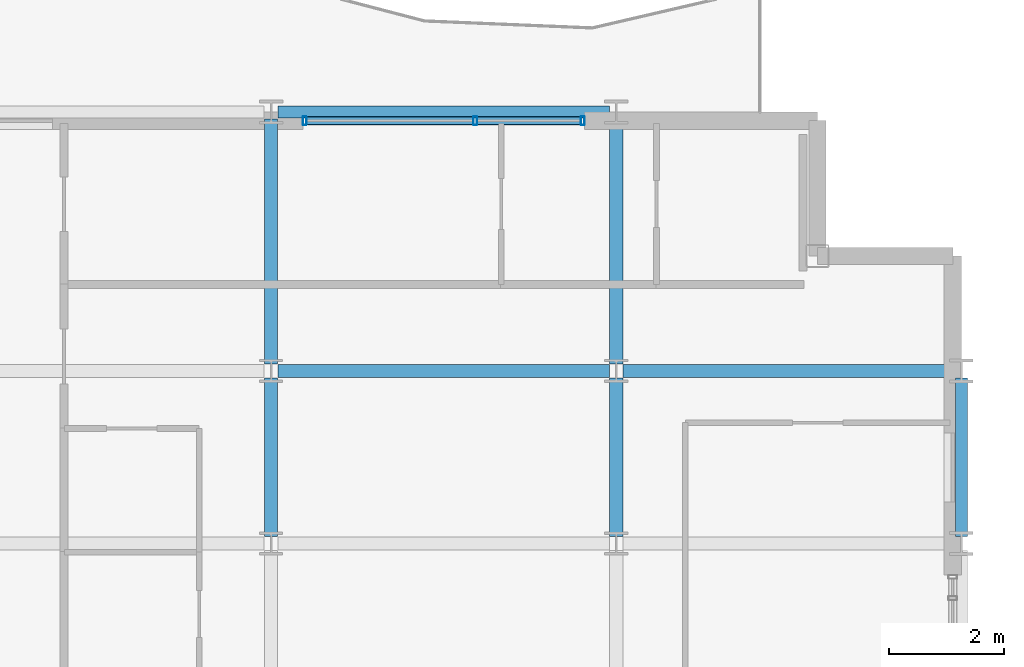
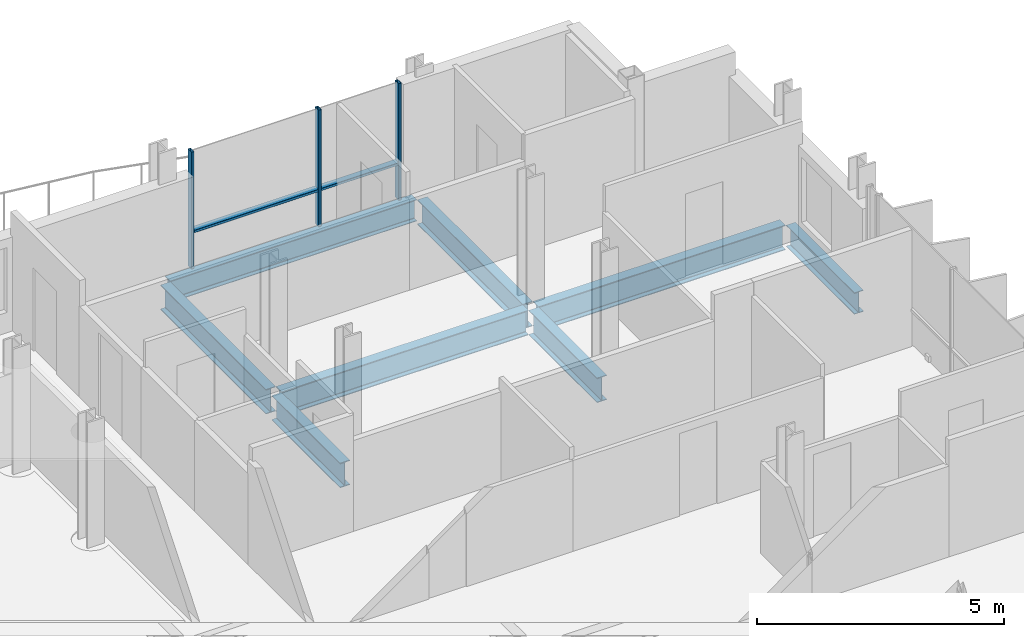
# One storey, part 22 of 38: 8 beams, 5 members, 1 element without a shape of its own.
"""IFC4 building model written with IfcOpenShell, lengths in metres."""

from ifc_helpers import new_model, si_unit, direction, frame, origin, origin_2d, place, context, subcontext, project, spatial, hollow_rectangle, i_section, extrude, material, layer, layer_set, material_profile, profile_set, type_object, element, aggregate, save


model = new_model("IFC4")

# Units and contexts
model_context = context("Model", 3, precision=1e-05, world=origin(), true_north=direction((0.0, 1.0)))
body_context = subcontext(model_context, "Body", "Model", "MODEL_VIEW")
ifc_project = project(units=[si_unit("LENGTHUNIT", "METRE"), si_unit("AREAUNIT", "SQUARE_METRE"), si_unit("VOLUMEUNIT", "CUBIC_METRE"), si_unit("PLANEANGLEUNIT", "RADIAN"), si_unit("MASSUNIT", "GRAM", prefix="KILO")], contexts=[model_context])

# Site, building, storey
site_placement = place(None, origin())
site = spatial("IfcSite", under=ifc_project, at=site_placement, CompositionType="ELEMENT")
building_placement = place(site_placement, origin())
building = spatial("IfcBuilding", under=site, at=building_placement, Name="Brevholm Reach", CompositionType="ELEMENT")
storey_placement = place(building_placement, frame((0.0, 0.0, 141.800048828125)))
storey = spatial("IfcBuildingStorey", under=building, at=storey_placement, Name="L42", CompositionType="ELEMENT", Elevation=141.800048828125)

# Beams
ifc_material_1 = material(Name="Structural Steel S355J2", Category="steel")
ifc_material_profile_1 = material_profile(ifc_material_1, i_section(OverallWidth=0.209228515625, OverallDepth=0.533203125, WebThickness=0.010009765625, FlangeThickness=0.015625, FilletRadius=0.0126953125, at=origin_2d()), Name="UKB 533x210x92")
ifc_profile_set_1 = profile_set([ifc_material_profile_1], Name="Structural Steel S355J2")
beam_type_1 = type_object("IfcBeamType", Name="BM-SP533", PredefinedType="SPANDREL", material=ifc_profile_set_1)
beam_1_placement = place(storey_placement, frame((48.1201171875, 31.0, -0.486572265625), z_axis=(1.0, 0.0, 0.0), x_axis=(0.0, 1.0, 0.0)))
element("IfcBeam", 1, at=beam_1_placement, inside=storey, type_object=beam_type_1, Name="L42 SP-02 Framing Beam", PredefinedType="SPANDREL", context=body_context, shape_type="SweptSolid", body=[
    extrude(i_section(OverallWidth=0.209228515625, OverallDepth=0.533203125, WebThickness=0.010009765625, FlangeThickness=0.015625, FilletRadius=0.0126953125, at=origin_2d()), origin(), (0.0, 0.0, 1.0), 5.759765625),
])
beam_2_placement = place(storey_placement, frame((60.0, 23.6201171875, -0.486572265625), z_axis=(0.0, 1.0, 0.0), x_axis=(-1.0, 0.0, 0.0)))
element("IfcBeam", 2, at=beam_2_placement, inside=storey, type_object=beam_type_1, Name="L42 SP-02 Framing Beam", PredefinedType="SPANDREL", context=body_context, shape_type="SweptSolid", body=[
    extrude(i_section(OverallWidth=0.209228515625, OverallDepth=0.533203125, WebThickness=0.010009765625, FlangeThickness=0.015625, FilletRadius=0.0126953125, at=origin_2d()), origin(), (0.0, 0.0, 1.0), 2.759765625),
])
ifc_material_2 = material(Name="Structural Steel S355J2", Category="steel")
ifc_material_profile_2 = material_profile(ifc_material_2, i_section(OverallWidth=0.22900390625, OverallDepth=0.6123046875, WebThickness=0.011962890625, FlangeThickness=0.01953125, FilletRadius=0.0126953125, at=origin_2d()), Name="UKB 610x229x125")
ifc_profile_set_2 = profile_set([ifc_material_profile_2], Name="Structural Steel S355J2")
beam_type_2 = type_object("IfcBeamType", Name="BM-SP610", PredefinedType="SPANDREL", material=ifc_profile_set_2)
for number, where, z_axis, x_axis, name in (
    (3, (48.1201171875, 26.5, -0.526123046875), (1.0, 0.0, 0.0), (0.0, 1.0, 0.0), "L42 SP-01 Framing Beam"),
    (4, (54.1201171875, 26.5, -0.526123046875), (1.0, 0.0, 0.0), (0.0, 1.0, 0.0), "L42 SP-01 Framing Beam"),
):
    element("IfcBeam", number, at=place(storey_placement, frame(where, z_axis=z_axis, x_axis=x_axis)), inside=storey, type_object=beam_type_2, Name=name, PredefinedType="SPANDREL", context=body_context, shape_type="SweptSolid", body=[
        extrude(i_section(OverallWidth=0.22900390625, OverallDepth=0.6123046875, WebThickness=0.011962890625, FlangeThickness=0.01953125, FilletRadius=0.0126953125, at=origin_2d()), origin(), (0.0, 0.0, 1.0), 5.759765625),
    ])
beam_3_placement = place(storey_placement, frame((48.0, 23.6201171875, -0.526123046875), z_axis=(0.0, 1.0, 0.0), x_axis=(-1.0, 0.0, 0.0)))
element("IfcBeam", 5, at=beam_3_placement, inside=storey, type_object=beam_type_2, Name="L42 SP-01 Framing Beam", PredefinedType="SPANDREL", context=body_context, shape_type="SweptSolid", body=[
    extrude(i_section(OverallWidth=0.22900390625, OverallDepth=0.6123046875, WebThickness=0.011962890625, FlangeThickness=0.01953125, FilletRadius=0.0126953125, at=origin_2d()), origin(), (0.0, 0.0, 1.0), 2.759765625),
])
beam_4_placement = place(storey_placement, frame((48.0, 26.6201171875, -0.526123046875), z_axis=(0.0, 1.0, 0.0), x_axis=(-1.0, 0.0, 0.0)))
element("IfcBeam", 6, at=beam_4_placement, inside=storey, type_object=beam_type_2, Name="L42 SP-01 Framing Beam", PredefinedType="SPANDREL", context=body_context, shape_type="SweptSolid", body=[
    extrude(i_section(OverallWidth=0.22900390625, OverallDepth=0.6123046875, WebThickness=0.011962890625, FlangeThickness=0.01953125, FilletRadius=0.0126953125, at=origin_2d()), origin(), (0.0, 0.0, 1.0), 4.259765625),
])
beam_5_placement = place(storey_placement, frame((54.0, 23.6201171875, -0.526123046875), z_axis=(0.0, 1.0, 0.0), x_axis=(-1.0, 0.0, 0.0)))
element("IfcBeam", 7, at=beam_5_placement, inside=storey, type_object=beam_type_2, Name="L42 SP-01 Framing Beam", PredefinedType="SPANDREL", context=body_context, shape_type="SweptSolid", body=[
    extrude(i_section(OverallWidth=0.22900390625, OverallDepth=0.6123046875, WebThickness=0.011962890625, FlangeThickness=0.01953125, FilletRadius=0.0126953125, at=origin_2d()), origin(), (0.0, 0.0, 1.0), 2.759765625),
])
beam_6_placement = place(storey_placement, frame((54.0, 26.6201171875, -0.526123046875), z_axis=(0.0, 1.0, 0.0), x_axis=(-1.0, 0.0, 0.0)))
element("IfcBeam", 8, at=beam_6_placement, inside=storey, type_object=beam_type_2, Name="L42 SP-01 Framing Beam", PredefinedType="SPANDREL", context=body_context, shape_type="SweptSolid", body=[
    extrude(i_section(OverallWidth=0.22900390625, OverallDepth=0.6123046875, WebThickness=0.011962890625, FlangeThickness=0.01953125, FilletRadius=0.0126953125, at=origin_2d()), origin(), (0.0, 0.0, 1.0), 4.259765625),
])

# Curtain wall, members
ifc_material_3 = material(Name="Dark Anodised Aluminium 6063-T6 and Solar-Control Glass", Category="aluminium")
ifc_layer = layer(ifc_material_3, 0.14990234375)
ifc_layer_set = layer_set([ifc_layer], Name="Dark Anodised Aluminium 6063-T6 and Solar-Control Glass")
curtain_wall_type = type_object("IfcCurtainWallType", Name="CW-01", PredefinedType="NOTDEFINED", material=ifc_layer_set)
curtain_wall_placement = place(storey_placement, origin())
curtain_wall = element("IfcCurtainWall", 9, at=curtain_wall_placement, inside=storey, type_object=curtain_wall_type, Name="L42 Curtain Wall CW-01", PredefinedType="NOTDEFINED")
ifc_material_4 = material(Name="Dark Anodised Aluminium 6063-T6", Category="aluminium")
ifc_material_profile_3 = material_profile(ifc_material_4, hollow_rectangle(XDim=0.06494140625, YDim=0.14990234375, WallThickness=0.0048828125, InnerFilletRadius=0.0048828125, OuterFilletRadius=0.010009765625, at=origin_2d()), Name="RHS 150x65x5")
ifc_profile_set_3 = profile_set([ifc_material_profile_3], Name="Dark Anodised Aluminium 6063-T6")
member_type_1 = type_object("IfcMemberType", Name="CWM-150", PredefinedType="MULLION", material=ifc_profile_set_3)
member_1_placement = place(storey_placement, frame((48.58251953125, 30.85009765625, 0.0), z_axis=(0.0, 0.0, 1.0), x_axis=(1.0, 0.0, 0.0)))
member_1 = element("IfcMember", 10, at=member_1_placement, type_object=member_type_1, Name="CM-150 Mullion 1", PredefinedType="MULLION", context=body_context, shape_type="SweptSolid", body=[
    extrude(hollow_rectangle(XDim=0.06494140625, YDim=0.14990234375, WallThickness=0.0048828125, InnerFilletRadius=0.0048828125, OuterFilletRadius=0.010009765625, at=origin_2d()), origin(), (0.0, 0.0, 1.0), 2.8798828125),
])
member_2_placement = place(storey_placement, frame((51.550048828125, 30.85009765625, 0.0), z_axis=(0.0, 0.0, 1.0), x_axis=(1.0, 0.0, 0.0)))
member_2 = element("IfcMember", 11, at=member_2_placement, type_object=member_type_1, Name="CM-150 Mullion 2", PredefinedType="MULLION", context=body_context, shape_type="SweptSolid", body=[
    extrude(hollow_rectangle(XDim=0.06494140625, YDim=0.14990234375, WallThickness=0.0048828125, InnerFilletRadius=0.0048828125, OuterFilletRadius=0.010009765625, at=origin_2d()), origin(), (0.0, 0.0, 1.0), 2.8798828125),
])
member_3_placement = place(storey_placement, frame((53.41748046875, 30.85009765625, 0.0), z_axis=(0.0, 0.0, 1.0), x_axis=(1.0, 0.0, 0.0)))
member_3 = element("IfcMember", 12, at=member_3_placement, type_object=member_type_1, Name="CM-150 Mullion 3", PredefinedType="MULLION", context=body_context, shape_type="SweptSolid", body=[
    extrude(hollow_rectangle(XDim=0.06494140625, YDim=0.14990234375, WallThickness=0.0048828125, InnerFilletRadius=0.0048828125, OuterFilletRadius=0.010009765625, at=origin_2d()), origin(), (0.0, 0.0, 1.0), 2.8798828125),
])
ifc_material_5 = material(Name="Dark Anodised Aluminium 6063-T6", Category="aluminium")
ifc_material_profile_4 = material_profile(ifc_material_5, hollow_rectangle(XDim=0.06494140625, YDim=0.14990234375, WallThickness=0.0048828125, InnerFilletRadius=0.0048828125, OuterFilletRadius=0.010009765625, at=origin_2d()), Name="RHS 150x65x5")
ifc_profile_set_4 = profile_set([ifc_material_profile_4], Name="Dark Anodised Aluminium 6063-T6")
member_type_2 = type_object("IfcMemberType", Name="CWT-150", PredefinedType="NOTDEFINED", material=ifc_profile_set_4)
member_4_placement = place(storey_placement, frame((48.614990234375, 30.85009765625, 0.89990234375), z_axis=(1.0, 0.0, 0.0), x_axis=(0.0, 0.0, 1.0)))
member_4 = element("IfcMember", 13, at=member_4_placement, type_object=member_type_2, Name="CT-150 Transom 1.1", ObjectType="TRANSOM", PredefinedType="USERDEFINED", context=body_context, shape_type="SweptSolid", body=[
    extrude(hollow_rectangle(XDim=0.06494140625, YDim=0.14990234375, WallThickness=0.0048828125, InnerFilletRadius=0.0048828125, OuterFilletRadius=0.010009765625, at=origin_2d()), origin(), (0.0, 0.0, 1.0), 2.902587890625),
])
member_5_placement = place(storey_placement, frame((51.58251953125, 30.85009765625, 0.89990234375), z_axis=(1.0, 0.0, 0.0), x_axis=(0.0, 0.0, 1.0)))
member_5 = element("IfcMember", 14, at=member_5_placement, type_object=member_type_2, Name="CT-150 Transom 2.1", ObjectType="TRANSOM", PredefinedType="USERDEFINED", context=body_context, shape_type="SweptSolid", body=[
    extrude(hollow_rectangle(XDim=0.06494140625, YDim=0.14990234375, WallThickness=0.0048828125, InnerFilletRadius=0.0048828125, OuterFilletRadius=0.010009765625, at=origin_2d()), origin(), (0.0, 0.0, 1.0), 1.802490234375),
])
aggregate(curtain_wall, [member_1, member_2, member_3, member_4, member_5])

save(model, "model.ifc")
